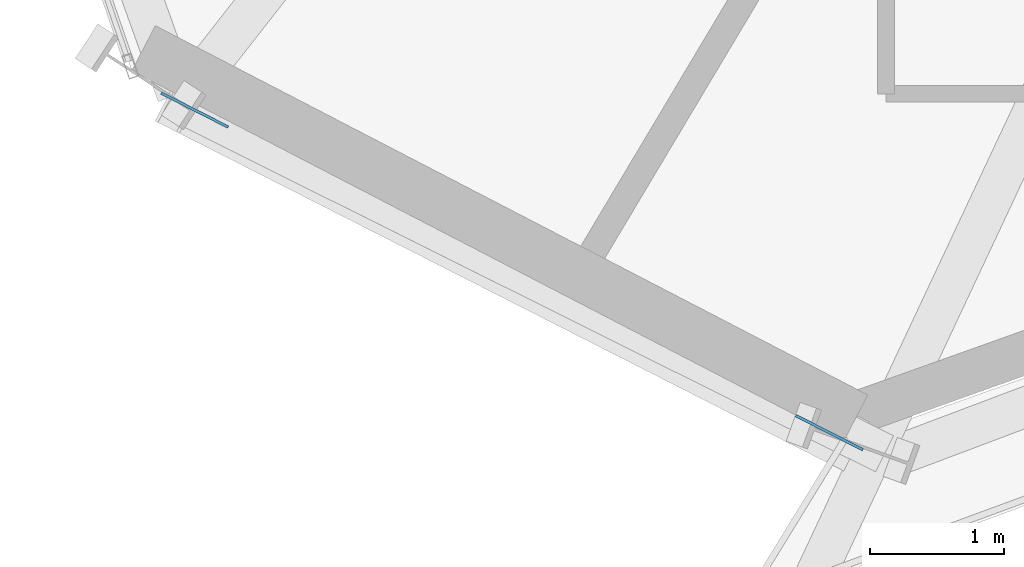
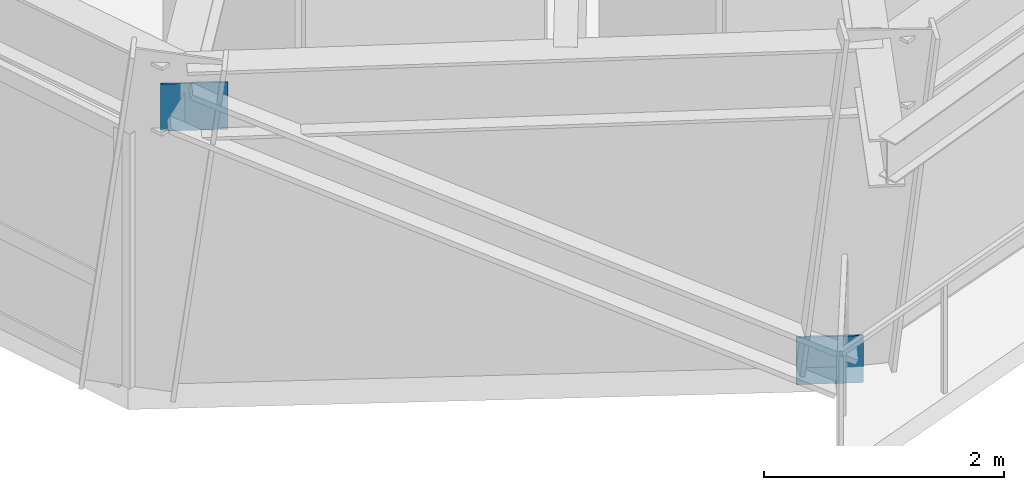
# One storey, part 12 of 22: 2 plates.
"""IFC4 building model written with IfcOpenShell, lengths in metres."""

from ifc_helpers import new_model, si_unit, direction, frame, origin, origin_2d, place, context, subcontext, project, spatial, rectangle, extrude, source, transform, mapped, material, type_object, element, save


model = new_model("IFC4")

# Units and contexts
model_context = context("Model", 3, precision=1e-05, world=origin(), true_north=direction((0.0, 1.0)))
body_context = subcontext(model_context, "Body", "Model", "MODEL_VIEW")
ifc_project = project(units=[si_unit("LENGTHUNIT", "METRE"), si_unit("AREAUNIT", "SQUARE_METRE"), si_unit("VOLUMEUNIT", "CUBIC_METRE"), si_unit("PLANEANGLEUNIT", "RADIAN"), si_unit("MASSUNIT", "GRAM", prefix="KILO")], contexts=[model_context])

# Site, building, storey
site_placement = place(None, origin())
site = spatial("IfcSite", under=ifc_project, at=site_placement, CompositionType="ELEMENT")
building_placement = place(site_placement, origin())
building = spatial("IfcBuilding", under=site, at=building_placement, Name="Olszyna Solenne Hotel", CompositionType="ELEMENT")
storey_placement = place(building_placement, frame((0.0, 0.0, 61.25)))
storey = spatial("IfcBuildingStorey", under=building, at=storey_placement, Name="L15", CompositionType="ELEMENT", Elevation=61.25)

# Plates
ifc_material = material(Name="Steel S355J2", Category="steel")
plate_type = type_object("IfcPlateType", Name="GP-ND2", PredefinedType="USERDEFINED", material=ifc_material)
shared_shape = source(origin(), body_context, "Body", "SweptSolid", [
    extrude(rectangle(XDim=0.56005859375, YDim=0.02001953125, at=origin_2d()), origin(), (0.0, 0.0, 1.0), 0.47998046875),
])
for number, where, z_axis, x_axis, name in (
    (1, (27.052978515625, 3.95068359375, -0.1650390625), (0.0, 0.0, 1.0), (-0.891402366318, 0.453212777096, 0.0), "Brace end connection gusset plate GP-ND2 EP-BR-L15-3-1"),
    (2, (22.32421875, 6.3544921875, 2.610107421875), (0.0, 0.0, 1.0), (-0.891402366318, 0.453212777096, 0.0), "Brace end connection gusset plate GP-ND2 EP-BR-L15-3-2"),
):
    element("IfcPlate", number, at=place(storey_placement, frame(where, z_axis=z_axis, x_axis=x_axis)), inside=storey, type_object=plate_type, Name=name, ObjectType="GUSSET_PLATE", PredefinedType="USERDEFINED", context=body_context, shape_type="MappedRepresentation", body=[
        mapped(shared_shape, transform((0.0, 0.0, 0.0), x_axis=(1.0, 0.0, 0.0), y_axis=(0.0, 1.0, 0.0), z_axis=(0.0, 0.0, 1.0), scale=1.0)),
    ])

save(model, "model.ifc")
